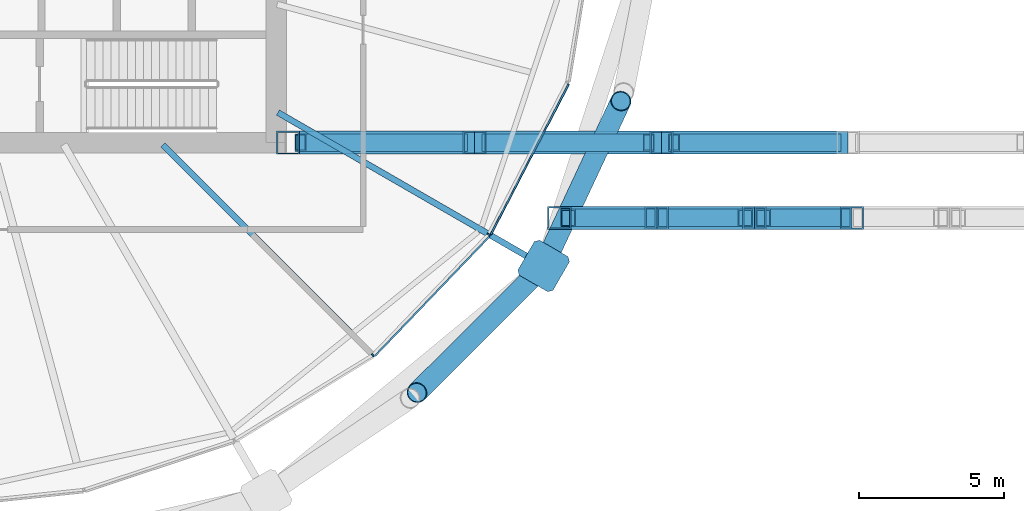
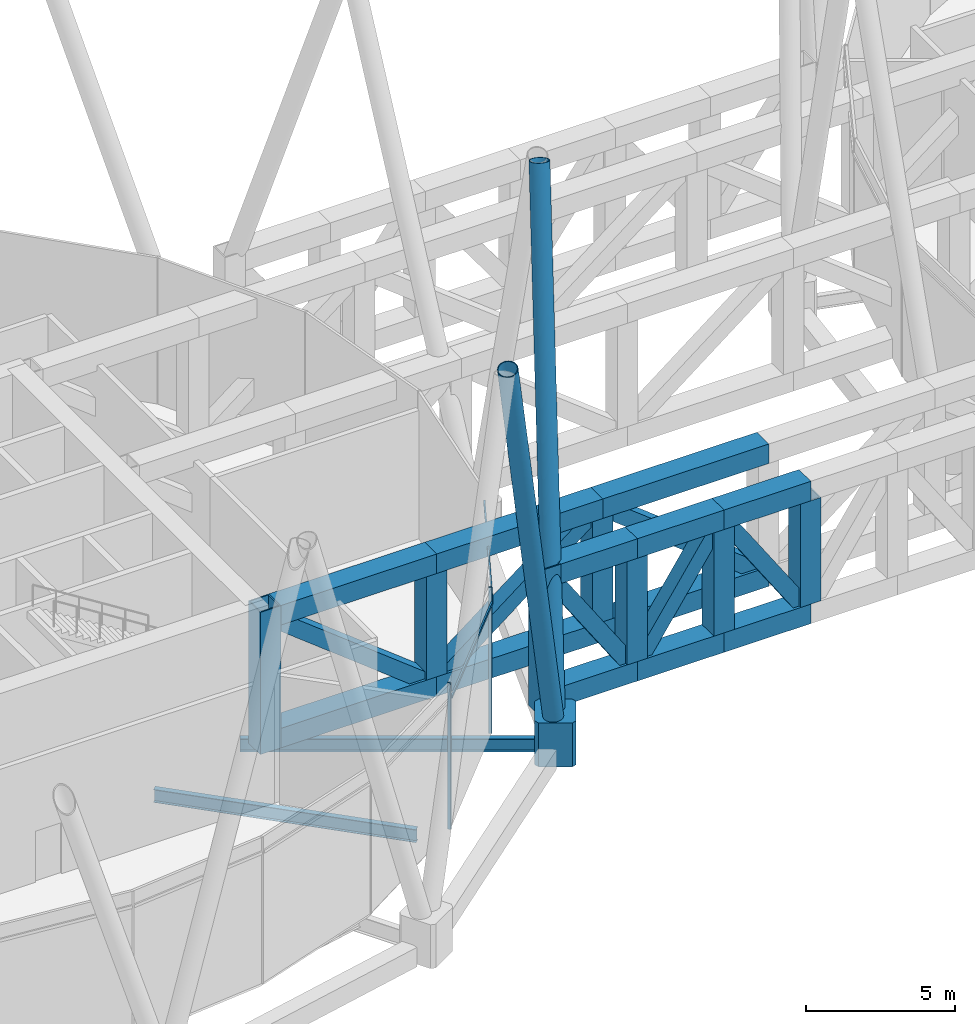
# One storey, part 7 of 39: 32 members, 2 beams, 1 element without a shape of its own.
"""IFC4 building model written with IfcOpenShell, lengths in metres."""

from ifc_helpers import new_model, si_unit, direction, frame, origin, origin_2d, place, context, subcontext, project, spatial, polyline, rectangle, hollow_rectangle, hollow_circle, i_section, outline, extrude, material, material_profile, profile_set, type_object, element, aggregate, save


model = new_model("IFC4")

# Units and contexts
model_context = context("Model", 3, precision=1e-05, world=origin(), true_north=direction((0.0, 1.0)))
body_context = subcontext(model_context, "Body", "Model", "MODEL_VIEW")
ifc_project = project(units=[si_unit("LENGTHUNIT", "METRE"), si_unit("AREAUNIT", "SQUARE_METRE"), si_unit("VOLUMEUNIT", "CUBIC_METRE"), si_unit("PLANEANGLEUNIT", "RADIAN"), si_unit("MASSUNIT", "GRAM", prefix="KILO")], contexts=[model_context])

# Site, building, storey
site_placement = place(None, origin())
site = spatial("IfcSite", under=ifc_project, at=site_placement, CompositionType="ELEMENT")
building_placement = place(site_placement, origin())
building = spatial("IfcBuilding", under=site, at=building_placement, Name="Rimbun Link Towers", CompositionType="ELEMENT")
storey_placement = place(building_placement, frame((0.0, 0.0, 127.199951171875)))
storey = spatial("IfcBuildingStorey", under=building, at=storey_placement, Name="L31", CompositionType="ELEMENT", Elevation=127.199951171875)

# Curtain wall, members
ifc_material_1 = material(Name="Aluminium 6063-T6 louvre wall", Category="aluminium")
curtain_wall_type = type_object("IfcCurtainWallType", Name="CW6 plant floor louvre wall", PredefinedType="NOTDEFINED", material=ifc_material_1)
curtain_wall_placement = place(storey_placement, origin())
curtain_wall = element("IfcCurtainWall", 1, at=curtain_wall_placement, inside=storey, type_object=curtain_wall_type, Name="CW6 L31 T1", PredefinedType="NOTDEFINED")
ifc_material_2 = material(Name="Aluminium 6063-T6", Category="aluminium")
ifc_material_profile_1 = material_profile(ifc_material_2, rectangle(XDim=0.1201171875, YDim=0.06005859375, at=origin_2d()), Name="MULLION 60X120")
ifc_profile_set_1 = profile_set([ifc_material_profile_1], Name="Aluminium 6063-T6")
member_type_1 = type_object("IfcMemberType", Name="CW6 mullion 60X120", PredefinedType="MULLION", material=ifc_profile_set_1)
member_1_placement = place(storey_placement, frame((-16.417236328125, -15.341796875, 0.0), z_axis=(0.0, 0.0, 1.0), x_axis=(0.627665809068, -0.778482904197, 0.0)))
member_1 = element("IfcMember", 2, at=member_1_placement, type_object=member_type_1, Name="CW6 mullion", PredefinedType="MULLION", context=body_context, shape_type="SweptSolid", body=[
    extrude(rectangle(XDim=0.1201171875, YDim=0.06005859375, at=origin_2d()), origin(), (0.0, 0.0, 1.0), 6.0),
])
member_2_placement = place(storey_placement, frame((-12.41650390625, -11.1689453125, 0.0), z_axis=(0.0, 0.0, 1.0), x_axis=(0.813344646227, -0.58178216409, 0.0)))
member_2 = element("IfcMember", 3, at=member_2_placement, type_object=member_type_1, Name="CW6 mullion", PredefinedType="MULLION", context=body_context, shape_type="SweptSolid", body=[
    extrude(rectangle(XDim=0.1201171875, YDim=0.06005859375, at=origin_2d()), origin(), (0.0, 0.0, 1.0), 6.0),
])
ifc_material_3 = material(Name="Aluminium 6063-T6", Category="aluminium")
ifc_material_profile_2 = material_profile(ifc_material_3, rectangle(XDim=0.06005859375, YDim=0.1201171875, at=origin_2d()), Name="TRANSOM 60X120")
ifc_profile_set_2 = profile_set([ifc_material_profile_2], Name="Aluminium 6063-T6")
member_type_2 = type_object("IfcMemberType", Name="CW6 transom 60X120", PredefinedType="USERDEFINED", material=ifc_profile_set_2)
member_3_placement = place(storey_placement, frame((-12.392333984375, -11.24560546875, 5.400146484375), z_axis=(-0.69205685806, -0.721842992078, 0.0), x_axis=(0.721842992078, -0.69205685806, 0.0)))
member_3 = element("IfcMember", 4, at=member_3_placement, type_object=member_type_2, Name="CW6 transom", ObjectType="TRANSOM", PredefinedType="USERDEFINED", context=body_context, shape_type="SweptSolid", body=[
    extrude(rectangle(XDim=0.06005859375, YDim=0.1201171875, at=origin_2d()), origin(), (0.0, 0.0, 1.0), 5.704833984375),
])
member_4_placement = place(storey_placement, frame((-9.65234375, -5.980224609375, 5.400146484375), z_axis=(-0.459561661733, -0.888145865872, 0.0), x_axis=(0.888145865872, -0.459561661733, 0.0)))
member_4 = element("IfcMember", 5, at=member_4_placement, type_object=member_type_2, Name="CW6 transom", ObjectType="TRANSOM", PredefinedType="USERDEFINED", context=body_context, shape_type="SweptSolid", body=[
    extrude(rectangle(XDim=0.06005859375, YDim=0.1201171875, at=origin_2d()), origin(), (0.0, 0.0, 1.0), 5.840087890625),
])
aggregate(curtain_wall, [member_1, member_2, member_3, member_4])

# Members
ifc_material_4 = material(Name="Steel S460NH", Category="steel")
ifc_material_profile_3 = material_profile(ifc_material_4, hollow_circle(Radius=0.355712890625, WallThickness=0.031982421875, at=origin_2d()), Name="Diagrid diagonal CHS 711x32")
ifc_profile_set_3 = profile_set([ifc_material_profile_3], Name="Steel S460NH")
member_type_3 = type_object("IfcMemberType", Name="Diagrid diagonal CHS 711x32", PredefinedType="BRACE", material=ifc_profile_set_3)
member_5_placement = place(storey_placement, frame((-10.625732421875, -12.367919921875, 0.475830078125), z_axis=(-0.217854193558, -0.217754551826, 0.951379264809), x_axis=(0.706945018132, -0.707268507244, 0.0)))
element("IfcMember", 6, at=member_5_placement, inside=storey, type_object=member_type_3, Name="Diagrid diagonal T1 L31-L35 22a", PredefinedType="BRACE", context=body_context, shape_type="SweptSolid", body=[
    extrude(hollow_circle(Radius=0.355712890625, WallThickness=0.031982421875, at=origin_2d()), origin(), (0.0, 0.0, 1.0), 19.6015625),
])
member_6_placement = place(storey_placement, frame((-10.45068359375, -12.117431640625, 0.47509765625), z_axis=(0.13248843611, 0.282908947014, 0.949952284063), x_axis=(-0.905612814409, 0.42410544724, 0.0)))
element("IfcMember", 7, at=member_6_placement, inside=storey, type_object=member_type_3, Name="Diagrid diagonal T1 L31-L35 22b", PredefinedType="BRACE", context=body_context, shape_type="SweptSolid", body=[
    extrude(hollow_circle(Radius=0.355712890625, WallThickness=0.031982421875, at=origin_2d()), origin(), (0.0, 0.0, 1.0), 19.632568359375),
])
ifc_material_5 = material(Name="Cast steel G20Mn5+QT, Rp0.2 300 MPa", Category="steel")
ifc_material_profile_4 = material_profile(ifc_material_5, outline(polyline([(0.699951171875, -0.570068359375), (0.699951171875, 0.570068359375), (0.570068359375, 0.699951171875), (-0.570068359375, 0.699951171875), (-0.699951171875, 0.570068359375), (-0.699951171875, -0.570068359375), (-0.570068359375, -0.699951171875), (0.570068359375, -0.699951171875), (0.699951171875, -0.570068359375)])), Name="NODE 1400x1400")
ifc_profile_set_4 = profile_set([ifc_material_profile_4], Name="Cast steel G20Mn5+QT, Rp0.2 300 MPa")
member_type_4 = type_object("IfcMemberType", Name="Diagrid node cast 1400", PredefinedType="USERDEFINED", material=ifc_profile_set_4)
member_7_placement = place(storey_placement, frame((-10.516845703125, -12.259033203125, -0.89990234375), z_axis=(0.0, 0.0, 1.0), x_axis=(0.866025403784, -0.5, 0.0)))
element("IfcMember", 8, at=member_7_placement, inside=storey, type_object=member_type_4, Name="Diagrid node L31 22", ObjectType="Diagrid node", PredefinedType="USERDEFINED", context=body_context, shape_type="SweptSolid", body=[
    extrude(outline(polyline([(0.699951171875, -0.570068359375), (0.699951171875, 0.570068359375), (0.570068359375, 0.699951171875), (-0.570068359375, 0.699951171875), (-0.699951171875, 0.570068359375), (-0.699951171875, -0.570068359375), (-0.570068359375, -0.699951171875), (0.570068359375, -0.699951171875), (0.699951171875, -0.570068359375)])), origin(), (0.0, 0.0, 1.0), 1.800048828125),
])
ifc_material_6 = material(Name="Steel S460N", Category="steel")
ifc_material_profile_5 = material_profile(ifc_material_6, hollow_rectangle(XDim=0.800048828125, YDim=0.800048828125, WallThickness=0.050048828125, at=origin_2d()), Name="Link transfer truss chord BOX 800x800x50")
ifc_profile_set_5 = profile_set([ifc_material_profile_5], Name="Steel S460N")
member_type_5 = type_object("IfcMemberType", Name="Link transfer truss chord BOX 800x800x50", PredefinedType="CHORD", material=ifc_profile_set_5)
for number, where, z_axis, x_axis, name in (
    (9, (-18.949951171875, -8.0, 0.400146484375), (1.0, 0.0, 0.0), (0.0, 1.0, 0.0), "Link transfer truss chord 1 bottom 00"),
    (10, (-18.949951171875, -8.0, 5.43994140625), (1.0, 0.0, 0.0), (0.0, 1.0, 0.0), "Link transfer truss chord 1 top 00"),
):
    element("IfcMember", number, at=place(storey_placement, frame(where, z_axis=z_axis, x_axis=x_axis)), inside=storey, type_object=member_type_5, Name=name, PredefinedType="CHORD", context=body_context, shape_type="SweptSolid", body=[
        extrude(hollow_rectangle(XDim=0.800048828125, YDim=0.800048828125, WallThickness=0.050048828125, at=origin_2d()), origin(), (0.0, 0.0, 1.0), 6.050048828125),
    ])
for number, where, z_axis, x_axis, name in (
    (11, (-12.89990234375, -8.0, 0.400146484375), (1.0, 0.0, 0.0), (0.0, 1.0, 0.0), "Link transfer truss chord 1 bottom 01"),
    (12, (-12.89990234375, -8.0, 5.43994140625), (1.0, 0.0, 0.0), (0.0, 1.0, 0.0), "Link transfer truss chord 1 top 01"),
    (13, (-6.449951171875, -8.0, 0.400146484375), (1.0, 0.0, 0.0), (0.0, 1.0, 0.0), "Link transfer truss chord 1 bottom 02"),
    (14, (-6.449951171875, -8.0, 5.43994140625), (1.0, 0.0, 0.0), (0.0, 1.0, 0.0), "Link transfer truss chord 1 top 02"),
):
    element("IfcMember", number, at=place(storey_placement, frame(where, z_axis=z_axis, x_axis=x_axis)), inside=storey, type_object=member_type_5, Name=name, PredefinedType="CHORD", context=body_context, shape_type="SweptSolid", body=[
        extrude(hollow_rectangle(XDim=0.800048828125, YDim=0.800048828125, WallThickness=0.050048828125, at=origin_2d()), origin(), (0.0, 0.0, 1.0), 6.449951171875),
    ])
for number, where, z_axis, x_axis, name in (
    (15, (-9.577880859375, -10.60009765625, 0.400146484375), (1.0, 0.0, 0.0), (0.0, 1.0, 0.0), "Link face truss chord S bottom 00"),
    (16, (-9.577880859375, -10.60009765625, 5.43994140625), (1.0, 0.0, 0.0), (0.0, 1.0, 0.0), "Link face truss chord S top 00"),
):
    element("IfcMember", number, at=place(storey_placement, frame(where, z_axis=z_axis, x_axis=x_axis)), inside=storey, type_object=member_type_5, Name=name, PredefinedType="CHORD", context=body_context, shape_type="SweptSolid", body=[
        extrude(hollow_rectangle(XDim=0.800048828125, YDim=0.800048828125, WallThickness=0.050048828125, at=origin_2d()), origin(), (0.0, 0.0, 1.0), 2.96875),
    ])
for number, where, z_axis, x_axis, name in (
    (17, (-6.609130859375, -10.60009765625, 0.400146484375), (1.0, 0.0, 0.0), (0.0, 1.0, 0.0), "Link face truss chord S bottom 01"),
    (18, (-6.609130859375, -10.60009765625, 5.43994140625), (1.0, 0.0, 0.0), (0.0, 1.0, 0.0), "Link face truss chord S top 01"),
):
    element("IfcMember", number, at=place(storey_placement, frame(where, z_axis=z_axis, x_axis=x_axis)), inside=storey, type_object=member_type_5, Name=name, PredefinedType="CHORD", context=body_context, shape_type="SweptSolid", body=[
        extrude(hollow_rectangle(XDim=0.800048828125, YDim=0.800048828125, WallThickness=0.050048828125, at=origin_2d()), origin(), (0.0, 0.0, 1.0), 3.369140625),
    ])
for number, where, z_axis, x_axis, name in (
    (19, (-3.239990234375, -10.60009765625, 0.400146484375), (1.0, 0.0, 0.0), (0.0, 1.0, 0.0), "Link face truss chord S bottom 02"),
    (20, (-3.239990234375, -10.60009765625, 5.43994140625), (1.0, 0.0, 0.0), (0.0, 1.0, 0.0), "Link face truss chord S top 02"),
):
    element("IfcMember", number, at=place(storey_placement, frame(where, z_axis=z_axis, x_axis=x_axis)), inside=storey, type_object=member_type_5, Name=name, PredefinedType="CHORD", context=body_context, shape_type="SweptSolid", body=[
        extrude(hollow_rectangle(XDim=0.800048828125, YDim=0.800048828125, WallThickness=0.050048828125, at=origin_2d()), origin(), (0.0, 0.0, 1.0), 3.368896484375),
    ])
ifc_material_7 = material(Name="Steel S460N", Category="steel")
ifc_material_profile_6 = material_profile(ifc_material_7, hollow_rectangle(XDim=0.60009765625, YDim=0.60009765625, WallThickness=0.0400390625, at=origin_2d()), Name="Link transfer truss diagonal BOX 600x600x40")
ifc_profile_set_6 = profile_set([ifc_material_profile_6], Name="Steel S460N")
member_type_6 = type_object("IfcMemberType", Name="Link transfer truss diagonal BOX 600x600x40", PredefinedType="BRACE", material=ifc_profile_set_6)
member_8_placement = place(storey_placement, frame((-18.91650390625, -8.0, 5.1015625), z_axis=(0.787951234296, 0.0, -0.61573764898), x_axis=(0.0, 1.0, 0.0)))
element("IfcMember", 21, at=member_8_placement, inside=storey, type_object=member_type_6, Name="Link transfer truss diagonal 1 00", PredefinedType="BRACE", context=body_context, shape_type="SweptSolid", body=[
    extrude(hollow_rectangle(XDim=0.60009765625, YDim=0.60009765625, WallThickness=0.0400390625, at=origin_2d()), origin(), (0.0, 0.0, 1.0), 7.08544921875),
])
for number, where, z_axis, x_axis, name in (
    (22, (-12.466552734375, -8.0, 0.73876953125), (0.787964297355, 0.0, 0.615720931992), (0.0, 1.0, 0.0), "Link transfer truss diagonal 1 01"),
    (23, (-6.0166015625, -8.0, 5.1015625), (0.787964297355, 0.0, -0.615720931992), (0.0, 1.0, 0.0), "Link transfer truss diagonal 1 02"),
):
    element("IfcMember", number, at=place(storey_placement, frame(where, z_axis=z_axis, x_axis=x_axis)), inside=storey, type_object=member_type_6, Name=name, PredefinedType="BRACE", context=body_context, shape_type="SweptSolid", body=[
        extrude(hollow_rectangle(XDim=0.60009765625, YDim=0.60009765625, WallThickness=0.0400390625, at=origin_2d()), origin(), (0.0, 0.0, 1.0), 7.085693359375),
    ])
for number, where, z_axis, x_axis, name in (
    (24, (-9.67236328125, -10.60009765625, 4.982666015625), (0.555733003869, 0.0, -0.83136082925), (0.0, 1.0, 0.0), "Link face truss diagonal S 00"),
    (25, (-6.303466796875, -10.60009765625, 0.857421875), (0.555733003869, 0.0, 0.83136082925), (0.0, 1.0, 0.0), "Link face truss diagonal S 01"),
    (26, (-2.9345703125, -10.60009765625, 4.982666015625), (0.55576700875, 0.0, -0.831338097278), (0.0, 1.0, 0.0), "Link face truss diagonal S 02"),
):
    element("IfcMember", number, at=place(storey_placement, frame(where, z_axis=z_axis, x_axis=x_axis)), inside=storey, type_object=member_type_6, Name=name, PredefinedType="BRACE", context=body_context, shape_type="SweptSolid", body=[
        extrude(hollow_rectangle(XDim=0.60009765625, YDim=0.60009765625, WallThickness=0.0400390625, at=origin_2d()), origin(), (0.0, 0.0, 1.0), 4.962158203125),
    ])
ifc_material_8 = material(Name="Steel S460N", Category="steel")
ifc_material_profile_7 = material_profile(ifc_material_8, hollow_rectangle(XDim=0.800048828125, YDim=0.800048828125, WallThickness=0.050048828125, at=origin_2d()), Name="Link transfer truss post BOX 800x800x50")
ifc_profile_set_7 = profile_set([ifc_material_profile_7], Name="Steel S460N")
member_type_7 = type_object("IfcMemberType", Name="Link transfer truss post BOX 800x800x50", PredefinedType="POST", material=ifc_profile_set_7)
member_9_placement = place(storey_placement, frame((-19.35009765625, -8.0, 0.0), z_axis=(0.0, 0.0, 1.0), x_axis=(1.0, 0.0, 0.0)))
element("IfcMember", 27, at=member_9_placement, inside=storey, type_object=member_type_7, Name="Link transfer truss post 1-00", PredefinedType="POST", context=body_context, shape_type="SweptSolid", body=[
    extrude(hollow_rectangle(XDim=0.800048828125, YDim=0.800048828125, WallThickness=0.050048828125, at=origin_2d()), origin(), (0.0, 0.0, 1.0), 5.840087890625),
])
for number, where, z_axis, x_axis, name in (
    (28, (-12.89990234375, -8.0, 0.800048828125), (0.0, 0.0, 1.0), (1.0, 0.0, 0.0), "Link transfer truss post 1-01"),
    (29, (-6.449951171875, -8.0, 0.800048828125), (0.0, 0.0, 1.0), (1.0, 0.0, 0.0), "Link transfer truss post 1-02"),
):
    element("IfcMember", number, at=place(storey_placement, frame(where, z_axis=z_axis, x_axis=x_axis)), inside=storey, type_object=member_type_7, Name=name, PredefinedType="POST", context=body_context, shape_type="SweptSolid", body=[
        extrude(hollow_rectangle(XDim=0.800048828125, YDim=0.800048828125, WallThickness=0.050048828125, at=origin_2d()), origin(), (0.0, 0.0, 1.0), 4.239990234375),
    ])
member_10_placement = place(storey_placement, frame((-9.97802734375, -10.60009765625, -0.159912109375), z_axis=(0.0, 0.0, 1.0), x_axis=(1.0, 0.0, 0.0)))
element("IfcMember", 30, at=member_10_placement, inside=storey, type_object=member_type_7, Name="Link face truss post S-00", PredefinedType="POST", context=body_context, shape_type="SweptSolid", body=[
    extrude(hollow_rectangle(XDim=0.800048828125, YDim=0.800048828125, WallThickness=0.050048828125, at=origin_2d()), origin(), (0.0, 0.0, 1.0), 6.0),
])
for number, where, z_axis, x_axis, name in (
    (31, (-6.609130859375, -10.60009765625, 0.800048828125), (0.0, 0.0, 1.0), (1.0, 0.0, 0.0), "Link face truss post S-01"),
    (32, (-3.239990234375, -10.60009765625, 0.800048828125), (0.0, 0.0, 1.0), (1.0, 0.0, 0.0), "Link face truss post S-02"),
    (33, (0.12890625, -10.60009765625, 0.800048828125), (0.0, 0.0, 1.0), (1.0, 0.0, 0.0), "Link face truss post S-03"),
):
    element("IfcMember", number, at=place(storey_placement, frame(where, z_axis=z_axis, x_axis=x_axis)), inside=storey, type_object=member_type_7, Name=name, PredefinedType="POST", context=body_context, shape_type="SweptSolid", body=[
        extrude(hollow_rectangle(XDim=0.800048828125, YDim=0.800048828125, WallThickness=0.050048828125, at=origin_2d()), origin(), (0.0, 0.0, 1.0), 4.239990234375),
    ])

# Beams
ifc_material_9 = material(Name="Steel S355J2", Category="steel")
ifc_material_profile_8 = material_profile(ifc_material_9, i_section(OverallWidth=0.209228515625, OverallDepth=0.533203125, WebThickness=0.010009765625, FlangeThickness=0.015625, at=origin_2d()), Name="UB 533x210x92")
ifc_profile_set_8 = profile_set([ifc_material_profile_8], Name="Steel S355J2")
beam_type = type_object("IfcBeamType", Name="UB 533x210x92", PredefinedType="BEAM", material=ifc_profile_set_8)
beam_1_placement = place(storey_placement, frame((-23.67529296875, -8.07470703125, -0.446533203125), z_axis=(0.707106781187, -0.707106781187, 0.0), x_axis=(0.707106781187, 0.707106781187, 0.0)))
element("IfcBeam", 34, at=beam_1_placement, inside=storey, type_object=beam_type, Name="Radial beam T1 L31 21", PredefinedType="BEAM", context=body_context, shape_type="SweptSolid", body=[
    extrude(i_section(OverallWidth=0.209228515625, OverallDepth=0.533203125, WebThickness=0.010009765625, FlangeThickness=0.015625, at=origin_2d()), origin(), (0.0, 0.0, 1.0), 9.144287109375),
])
beam_2_placement = place(storey_placement, frame((-19.69677734375, -6.958984375, -0.446533203125), z_axis=(0.866022557752, -0.500004929441, 0.0), x_axis=(0.500004929441, 0.866022557752, 0.0)))
element("IfcBeam", 35, at=beam_2_placement, inside=storey, type_object=beam_type, Name="Radial beam T1 L31 22", PredefinedType="BEAM", context=body_context, shape_type="SweptSolid", body=[
    extrude(i_section(OverallWidth=0.209228515625, OverallDepth=0.533203125, WebThickness=0.010009765625, FlangeThickness=0.015625, at=origin_2d()), origin(), (0.0, 0.0, 1.0), 10.10009765625),
])

save(model, "model.ifc")
